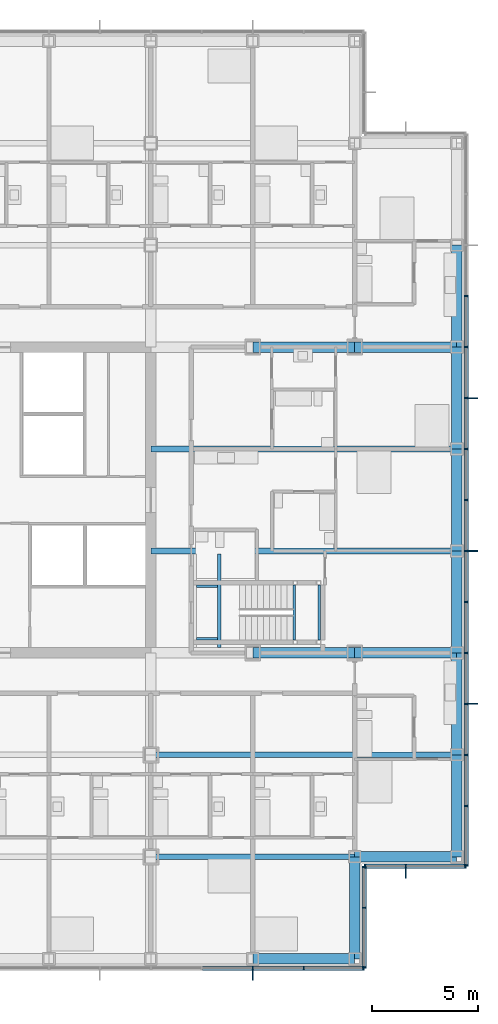
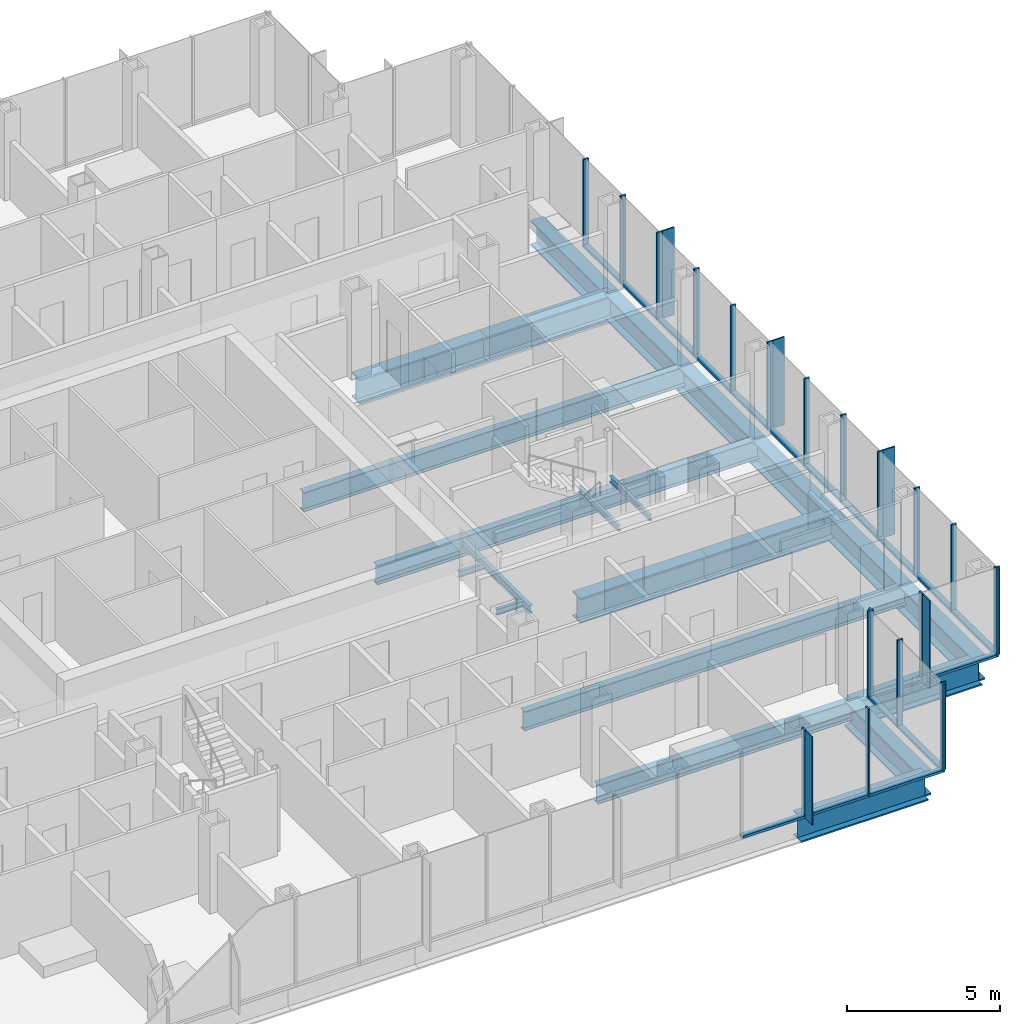
# One storey, part 9 of 22: 44 members, 22 beams, 4 elements without a shape of their own.
"""IFC4 building model written with IfcOpenShell, lengths in metres."""

from ifc_helpers import new_model, si_unit, direction, frame, origin, origin_2d, place, context, subcontext, project, spatial, rectangle, i_section, extrude, material, material_profile, profile_set, type_object, element, aggregate, save


model = new_model("IFC4")

# Units and contexts
model_context = context("Model", 3, precision=1e-05, world=origin(), true_north=direction((0.0, 1.0)))
body_context = subcontext(model_context, "Body", "Model", "MODEL_VIEW")
ifc_project = project(units=[si_unit("LENGTHUNIT", "METRE"), si_unit("AREAUNIT", "SQUARE_METRE"), si_unit("VOLUMEUNIT", "CUBIC_METRE"), si_unit("PLANEANGLEUNIT", "RADIAN"), si_unit("MASSUNIT", "GRAM", prefix="KILO")], contexts=[model_context])

# Site, building, storey
site_placement = place(None, origin())
site = spatial("IfcSite", under=ifc_project, at=site_placement, CompositionType="ELEMENT")
building_placement = place(site_placement, origin())
building = spatial("IfcBuilding", under=site, at=building_placement, Name="Kvirike Care Tower", CompositionType="ELEMENT")
storey_placement = place(building_placement, frame((0.0, 0.0, 72.5)))
storey = spatial("IfcBuildingStorey", under=building, at=storey_placement, Name="L19", CompositionType="ELEMENT", Elevation=72.5)

# Curtain wall, member
ifc_material_1 = material(Name="Anodised aluminium stick system", Category="aluminium")
curtain_wall_type = type_object("IfcCurtainWallType", Name="CW-A STICK CURTAIN WALL", PredefinedType="NOTDEFINED", material=ifc_material_1)
curtain_wall_1_placement = place(storey_placement, origin())
curtain_wall_1 = element("IfcCurtainWall", 1, at=curtain_wall_1_placement, inside=storey, type_object=curtain_wall_type, Name="Curtain wall L19 face 4", PredefinedType="NOTDEFINED")
ifc_material_2 = material(Name="Bronze anodised aluminium fin", Category="aluminium")
ifc_material_profile_1 = material_profile(ifc_material_2, rectangle(XDim=0.050048828125, YDim=0.449951171875, at=origin_2d()), Name="BRONZE FIN 450")
ifc_profile_set_1 = profile_set([ifc_material_profile_1], Name="Bronze anodised aluminium fin")
member_type_1 = type_object("IfcMemberType", Name="BRONZE FIN 450", PredefinedType="USERDEFINED", material=ifc_profile_set_1)
member_1_placement = place(storey_placement, frame((33.60009765625, 13.625, 0.0), z_axis=(0.0, 0.0, 1.0), x_axis=(1.0, 0.0, 0.0)))
member_1 = element("IfcMember", 2, at=member_1_placement, type_object=member_type_1, Name="Bronze fin L19 face 4.13", ObjectType="FIN", PredefinedType="USERDEFINED", context=body_context, shape_type="SweptSolid", body=[
    extrude(rectangle(XDim=0.050048828125, YDim=0.449951171875, at=origin_2d()), origin(), (0.0, 0.0, 1.0), 3.5),
])

curtain_wall_2_placement = place(storey_placement, origin())
curtain_wall_2 = element("IfcCurtainWall", 3, at=curtain_wall_2_placement, inside=storey, type_object=curtain_wall_type, Name="Curtain wall L19 face 6", PredefinedType="NOTDEFINED")
member_2_placement = place(storey_placement, frame((40.800048828125, 18.425048828125, 0.0), z_axis=(0.0, 0.0, 1.0), x_axis=(1.0, 0.0, 0.0)))
member_2 = element("IfcMember", 4, at=member_2_placement, type_object=member_type_1, Name="Bronze fin L19 face 6.2", ObjectType="FIN", PredefinedType="USERDEFINED", context=body_context, shape_type="SweptSolid", body=[
    extrude(rectangle(XDim=0.050048828125, YDim=0.449951171875, at=origin_2d()), origin(), (0.0, 0.0, 1.0), 3.5),
])

# Curtain wall, members
curtain_wall_3_placement = place(storey_placement, origin())
curtain_wall_3 = element("IfcCurtainWall", 5, at=curtain_wall_3_placement, inside=storey, type_object=curtain_wall_type, Name="Curtain wall L19 face 7", PredefinedType="NOTDEFINED")
member_3_placement = place(storey_placement, frame((43.97509765625, 26.39990234375, 0.0), z_axis=(0.0, 0.0, 1.0), x_axis=(0.0, 1.0, 0.0)))
member_3 = element("IfcMember", 6, at=member_3_placement, type_object=member_type_1, Name="Bronze fin L19 face 7.4", ObjectType="FIN", PredefinedType="USERDEFINED", context=body_context, shape_type="SweptSolid", body=[
    extrude(rectangle(XDim=0.050048828125, YDim=0.449951171875, at=origin_2d()), origin(), (0.0, 0.0, 1.0), 3.5),
])
member_4_placement = place(storey_placement, frame((43.97509765625, 33.60009765625, 0.0), z_axis=(0.0, 0.0, 1.0), x_axis=(0.0, 1.0, 0.0)))
member_4 = element("IfcMember", 7, at=member_4_placement, type_object=member_type_1, Name="Bronze fin L19 face 7.7", ObjectType="FIN", PredefinedType="USERDEFINED", context=body_context, shape_type="SweptSolid", body=[
    extrude(rectangle(XDim=0.050048828125, YDim=0.449951171875, at=origin_2d()), origin(), (0.0, 0.0, 1.0), 3.5),
])
member_5_placement = place(storey_placement, frame((43.97509765625, 40.800048828125, 0.0), z_axis=(0.0, 0.0, 1.0), x_axis=(0.0, 1.0, 0.0)))
member_5 = element("IfcMember", 8, at=member_5_placement, type_object=member_type_1, Name="Bronze fin L19 face 7.10", ObjectType="FIN", PredefinedType="USERDEFINED", context=body_context, shape_type="SweptSolid", body=[
    extrude(rectangle(XDim=0.050048828125, YDim=0.449951171875, at=origin_2d()), origin(), (0.0, 0.0, 1.0), 3.5),
])

# Member
ifc_material_3 = material(Name="Bronze anodised aluminium mullion", Category="aluminium")
ifc_material_profile_2 = material_profile(ifc_material_3, rectangle(XDim=0.06494140625, YDim=0.199951171875, at=origin_2d()), Name="CW-A MULLION 65x200")
ifc_profile_set_2 = profile_set([ifc_material_profile_2], Name="Bronze anodised aluminium mullion")
member_type_2 = type_object("IfcMemberType", Name="CW-A MULLION 65x200", PredefinedType="MULLION", material=ifc_profile_set_2)
member_6_placement = place(storey_placement, frame((33.60009765625, 13.949951171875, 0.0), z_axis=(0.0, 0.0, 1.0), x_axis=(1.0, 0.0, 0.0)))
member_6 = element("IfcMember", 9, at=member_6_placement, type_object=member_type_2, Name="CW-A mullion L19 face 4.13", PredefinedType="MULLION", context=body_context, shape_type="SweptSolid", body=[
    extrude(rectangle(XDim=0.06494140625, YDim=0.199951171875, at=origin_2d()), origin(), (0.0, 0.0, 1.0), 3.5),
])

member_7_placement = place(storey_placement, frame((36.0, 13.949951171875, 0.0), z_axis=(0.0, 0.0, 1.0), x_axis=(1.0, 0.0, 0.0)))
member_7 = element("IfcMember", 10, at=member_7_placement, type_object=member_type_2, Name="CW-A mullion L19 face 4.14", PredefinedType="MULLION", context=body_context, shape_type="SweptSolid", body=[
    extrude(rectangle(XDim=0.06494140625, YDim=0.199951171875, at=origin_2d()), origin(), (0.0, 0.0, 1.0), 3.5),
])

member_8_placement = place(storey_placement, frame((38.8173828125, 13.949951171875, 0.0), z_axis=(0.0, 0.0, 1.0), x_axis=(1.0, 0.0, 0.0)))
member_8 = element("IfcMember", 11, at=member_8_placement, type_object=member_type_2, Name="CW-A mullion L19 face 4.15", PredefinedType="MULLION", context=body_context, shape_type="SweptSolid", body=[
    extrude(rectangle(XDim=0.06494140625, YDim=0.199951171875, at=origin_2d()), origin(), (0.0, 0.0, 1.0), 3.5),
])

# Curtain wall, members
curtain_wall_4_placement = place(storey_placement, origin())
curtain_wall_4 = element("IfcCurtainWall", 12, at=curtain_wall_4_placement, inside=storey, type_object=curtain_wall_type, Name="Curtain wall L19 face 5", PredefinedType="NOTDEFINED")
member_9_placement = place(storey_placement, frame((38.85009765625, 13.982421875, 0.0), z_axis=(0.0, 0.0, 1.0), x_axis=(0.0, 1.0, 0.0)))
member_9 = element("IfcMember", 13, at=member_9_placement, type_object=member_type_2, Name="CW-A mullion L19 face 5.1", PredefinedType="MULLION", context=body_context, shape_type="SweptSolid", body=[
    extrude(rectangle(XDim=0.06494140625, YDim=0.199951171875, at=origin_2d()), origin(), (0.0, 0.0, 1.0), 3.5),
])
member_10_placement = place(storey_placement, frame((38.85009765625, 16.800048828125, 0.0), z_axis=(0.0, 0.0, 1.0), x_axis=(0.0, 1.0, 0.0)))
member_10 = element("IfcMember", 14, at=member_10_placement, type_object=member_type_2, Name="CW-A mullion L19 face 5.2", PredefinedType="MULLION", context=body_context, shape_type="SweptSolid", body=[
    extrude(rectangle(XDim=0.06494140625, YDim=0.199951171875, at=origin_2d()), origin(), (0.0, 0.0, 1.0), 3.5),
])
member_11_placement = place(storey_placement, frame((38.85009765625, 18.717529296875, 0.0), z_axis=(0.0, 0.0, 1.0), x_axis=(0.0, 1.0, 0.0)))
member_11 = element("IfcMember", 15, at=member_11_placement, type_object=member_type_2, Name="CW-A mullion L19 face 5.3", PredefinedType="MULLION", context=body_context, shape_type="SweptSolid", body=[
    extrude(rectangle(XDim=0.06494140625, YDim=0.199951171875, at=origin_2d()), origin(), (0.0, 0.0, 1.0), 3.5),
])

# Member
member_12_placement = place(storey_placement, frame((38.882568359375, 18.75, 0.0), z_axis=(0.0, 0.0, 1.0), x_axis=(1.0, 0.0, 0.0)))
member_12 = element("IfcMember", 16, at=member_12_placement, type_object=member_type_2, Name="CW-A mullion L19 face 6.1", PredefinedType="MULLION", context=body_context, shape_type="SweptSolid", body=[
    extrude(rectangle(XDim=0.06494140625, YDim=0.199951171875, at=origin_2d()), origin(), (0.0, 0.0, 1.0), 3.5),
])

member_13_placement = place(storey_placement, frame((40.800048828125, 18.75, 0.0), z_axis=(0.0, 0.0, 1.0), x_axis=(1.0, 0.0, 0.0)))
member_13 = element("IfcMember", 17, at=member_13_placement, type_object=member_type_2, Name="CW-A mullion L19 face 6.2", PredefinedType="MULLION", context=body_context, shape_type="SweptSolid", body=[
    extrude(rectangle(XDim=0.06494140625, YDim=0.199951171875, at=origin_2d()), origin(), (0.0, 0.0, 1.0), 3.5),
])

member_14_placement = place(storey_placement, frame((43.617431640625, 18.75, 0.0), z_axis=(0.0, 0.0, 1.0), x_axis=(1.0, 0.0, 0.0)))
member_14 = element("IfcMember", 18, at=member_14_placement, type_object=member_type_2, Name="CW-A mullion L19 face 6.3", PredefinedType="MULLION", context=body_context, shape_type="SweptSolid", body=[
    extrude(rectangle(XDim=0.06494140625, YDim=0.199951171875, at=origin_2d()), origin(), (0.0, 0.0, 1.0), 3.5),
])

member_15_placement = place(storey_placement, frame((43.64990234375, 18.782470703125, 0.0), z_axis=(0.0, 0.0, 1.0), x_axis=(0.0, 1.0, 0.0)))
member_15 = element("IfcMember", 19, at=member_15_placement, type_object=member_type_2, Name="CW-A mullion L19 face 7.1", PredefinedType="MULLION", context=body_context, shape_type="SweptSolid", body=[
    extrude(rectangle(XDim=0.06494140625, YDim=0.199951171875, at=origin_2d()), origin(), (0.0, 0.0, 1.0), 3.5),
])

member_16_placement = place(storey_placement, frame((43.64990234375, 21.60009765625, 0.0), z_axis=(0.0, 0.0, 1.0), x_axis=(0.0, 1.0, 0.0)))
member_16 = element("IfcMember", 20, at=member_16_placement, type_object=member_type_2, Name="CW-A mullion L19 face 7.2", PredefinedType="MULLION", context=body_context, shape_type="SweptSolid", body=[
    extrude(rectangle(XDim=0.06494140625, YDim=0.199951171875, at=origin_2d()), origin(), (0.0, 0.0, 1.0), 3.5),
])

member_17_placement = place(storey_placement, frame((43.64990234375, 24.0, 0.0), z_axis=(0.0, 0.0, 1.0), x_axis=(0.0, 1.0, 0.0)))
member_17 = element("IfcMember", 21, at=member_17_placement, type_object=member_type_2, Name="CW-A mullion L19 face 7.3", PredefinedType="MULLION", context=body_context, shape_type="SweptSolid", body=[
    extrude(rectangle(XDim=0.06494140625, YDim=0.199951171875, at=origin_2d()), origin(), (0.0, 0.0, 1.0), 3.5),
])

member_18_placement = place(storey_placement, frame((43.64990234375, 26.39990234375, 0.0), z_axis=(0.0, 0.0, 1.0), x_axis=(0.0, 1.0, 0.0)))
member_18 = element("IfcMember", 22, at=member_18_placement, type_object=member_type_2, Name="CW-A mullion L19 face 7.4", PredefinedType="MULLION", context=body_context, shape_type="SweptSolid", body=[
    extrude(rectangle(XDim=0.06494140625, YDim=0.199951171875, at=origin_2d()), origin(), (0.0, 0.0, 1.0), 3.5),
])

member_19_placement = place(storey_placement, frame((43.64990234375, 28.800048828125, 0.0), z_axis=(0.0, 0.0, 1.0), x_axis=(0.0, 1.0, 0.0)))
member_19 = element("IfcMember", 23, at=member_19_placement, type_object=member_type_2, Name="CW-A mullion L19 face 7.5", PredefinedType="MULLION", context=body_context, shape_type="SweptSolid", body=[
    extrude(rectangle(XDim=0.06494140625, YDim=0.199951171875, at=origin_2d()), origin(), (0.0, 0.0, 1.0), 3.5),
])

member_20_placement = place(storey_placement, frame((43.64990234375, 31.199951171875, 0.0), z_axis=(0.0, 0.0, 1.0), x_axis=(0.0, 1.0, 0.0)))
member_20 = element("IfcMember", 24, at=member_20_placement, type_object=member_type_2, Name="CW-A mullion L19 face 7.6", PredefinedType="MULLION", context=body_context, shape_type="SweptSolid", body=[
    extrude(rectangle(XDim=0.06494140625, YDim=0.199951171875, at=origin_2d()), origin(), (0.0, 0.0, 1.0), 3.5),
])

member_21_placement = place(storey_placement, frame((43.64990234375, 33.60009765625, 0.0), z_axis=(0.0, 0.0, 1.0), x_axis=(0.0, 1.0, 0.0)))
member_21 = element("IfcMember", 25, at=member_21_placement, type_object=member_type_2, Name="CW-A mullion L19 face 7.7", PredefinedType="MULLION", context=body_context, shape_type="SweptSolid", body=[
    extrude(rectangle(XDim=0.06494140625, YDim=0.199951171875, at=origin_2d()), origin(), (0.0, 0.0, 1.0), 3.5),
])

member_22_placement = place(storey_placement, frame((43.64990234375, 36.0, 0.0), z_axis=(0.0, 0.0, 1.0), x_axis=(0.0, 1.0, 0.0)))
member_22 = element("IfcMember", 26, at=member_22_placement, type_object=member_type_2, Name="CW-A mullion L19 face 7.8", PredefinedType="MULLION", context=body_context, shape_type="SweptSolid", body=[
    extrude(rectangle(XDim=0.06494140625, YDim=0.199951171875, at=origin_2d()), origin(), (0.0, 0.0, 1.0), 3.5),
])

member_23_placement = place(storey_placement, frame((43.64990234375, 38.39990234375, 0.0), z_axis=(0.0, 0.0, 1.0), x_axis=(0.0, 1.0, 0.0)))
member_23 = element("IfcMember", 27, at=member_23_placement, type_object=member_type_2, Name="CW-A mullion L19 face 7.9", PredefinedType="MULLION", context=body_context, shape_type="SweptSolid", body=[
    extrude(rectangle(XDim=0.06494140625, YDim=0.199951171875, at=origin_2d()), origin(), (0.0, 0.0, 1.0), 3.5),
])

member_24_placement = place(storey_placement, frame((43.64990234375, 40.800048828125, 0.0), z_axis=(0.0, 0.0, 1.0), x_axis=(0.0, 1.0, 0.0)))
member_24 = element("IfcMember", 28, at=member_24_placement, type_object=member_type_2, Name="CW-A mullion L19 face 7.10", PredefinedType="MULLION", context=body_context, shape_type="SweptSolid", body=[
    extrude(rectangle(XDim=0.06494140625, YDim=0.199951171875, at=origin_2d()), origin(), (0.0, 0.0, 1.0), 3.5),
])

member_25_placement = place(storey_placement, frame((43.64990234375, 43.199951171875, 0.0), z_axis=(0.0, 0.0, 1.0), x_axis=(0.0, 1.0, 0.0)))
member_25 = element("IfcMember", 29, at=member_25_placement, type_object=member_type_2, Name="CW-A mullion L19 face 7.11", PredefinedType="MULLION", context=body_context, shape_type="SweptSolid", body=[
    extrude(rectangle(XDim=0.06494140625, YDim=0.199951171875, at=origin_2d()), origin(), (0.0, 0.0, 1.0), 3.5),
])

member_26_placement = place(storey_placement, frame((43.64990234375, 45.60009765625, 0.0), z_axis=(0.0, 0.0, 1.0), x_axis=(0.0, 1.0, 0.0)))
member_26 = element("IfcMember", 30, at=member_26_placement, type_object=member_type_2, Name="CW-A mullion L19 face 7.12", PredefinedType="MULLION", context=body_context, shape_type="SweptSolid", body=[
    extrude(rectangle(XDim=0.06494140625, YDim=0.199951171875, at=origin_2d()), origin(), (0.0, 0.0, 1.0), 3.5),
])

ifc_material_4 = material(Name="Bronze anodised aluminium transom", Category="aluminium")
ifc_material_profile_3 = material_profile(ifc_material_4, rectangle(XDim=0.199951171875, YDim=0.10009765625, at=origin_2d()), Name="CW-A TRANSOM 200x100")
ifc_profile_set_3 = profile_set([ifc_material_profile_3], Name="Bronze anodised aluminium transom")
member_type_3 = type_object("IfcMemberType", Name="CW-A TRANSOM 200x100", PredefinedType="USERDEFINED", material=ifc_profile_set_3)
member_27_placement = place(storey_placement, frame((31.232421875, 13.949951171875, 0.050048828125), z_axis=(1.0, 0.0, 0.0), x_axis=(0.0, 1.0, 0.0)))
member_27 = element("IfcMember", 31, at=member_27_placement, type_object=member_type_3, Name="CW-A sill transom L19 face 4.12", ObjectType="TRANSOM", PredefinedType="USERDEFINED", context=body_context, shape_type="SweptSolid", body=[
    extrude(rectangle(XDim=0.199951171875, YDim=0.10009765625, at=origin_2d()), origin(), (0.0, 0.0, 1.0), 2.3349609375),
])

member_28_placement = place(storey_placement, frame((33.632568359375, 13.949951171875, 0.050048828125), z_axis=(1.0, 0.0, 0.0), x_axis=(0.0, 1.0, 0.0)))
member_28 = element("IfcMember", 32, at=member_28_placement, type_object=member_type_3, Name="CW-A sill transom L19 face 4.13", ObjectType="TRANSOM", PredefinedType="USERDEFINED", context=body_context, shape_type="SweptSolid", body=[
    extrude(rectangle(XDim=0.199951171875, YDim=0.10009765625, at=origin_2d()), origin(), (0.0, 0.0, 1.0), 2.3349609375),
])

member_29_placement = place(storey_placement, frame((36.032470703125, 13.949951171875, 0.050048828125), z_axis=(1.0, 0.0, 0.0), x_axis=(0.0, 1.0, 0.0)))
member_29 = element("IfcMember", 33, at=member_29_placement, type_object=member_type_3, Name="CW-A sill transom L19 face 4.14", ObjectType="TRANSOM", PredefinedType="USERDEFINED", context=body_context, shape_type="SweptSolid", body=[
    extrude(rectangle(XDim=0.199951171875, YDim=0.10009765625, at=origin_2d()), origin(), (0.0, 0.0, 1.0), 2.75244140625),
])

aggregate(curtain_wall_1, [member_6, member_1, member_7, member_8, member_27, member_28, member_29])

member_30_placement = place(storey_placement, frame((38.85009765625, 14.014892578125, 0.050048828125), z_axis=(0.0, 1.0, 0.0), x_axis=(-1.0, 0.0, 0.0)))
member_30 = element("IfcMember", 34, at=member_30_placement, type_object=member_type_3, Name="CW-A sill transom L19 face 5.1", ObjectType="TRANSOM", PredefinedType="USERDEFINED", context=body_context, shape_type="SweptSolid", body=[
    extrude(rectangle(XDim=0.199951171875, YDim=0.10009765625, at=origin_2d()), origin(), (0.0, 0.0, 1.0), 2.752685546875),
])

member_31_placement = place(storey_placement, frame((38.85009765625, 16.83251953125, 0.050048828125), z_axis=(0.0, 1.0, 0.0), x_axis=(-1.0, 0.0, 0.0)))
member_31 = element("IfcMember", 35, at=member_31_placement, type_object=member_type_3, Name="CW-A sill transom L19 face 5.2", ObjectType="TRANSOM", PredefinedType="USERDEFINED", context=body_context, shape_type="SweptSolid", body=[
    extrude(rectangle(XDim=0.199951171875, YDim=0.10009765625, at=origin_2d()), origin(), (0.0, 0.0, 1.0), 1.8525390625),
])

aggregate(curtain_wall_4, [member_9, member_10, member_11, member_30, member_31])

member_32_placement = place(storey_placement, frame((38.9150390625, 18.75, 0.050048828125), z_axis=(1.0, 0.0, 0.0), x_axis=(0.0, 1.0, 0.0)))
member_32 = element("IfcMember", 36, at=member_32_placement, type_object=member_type_3, Name="CW-A sill transom L19 face 6.1", ObjectType="TRANSOM", PredefinedType="USERDEFINED", context=body_context, shape_type="SweptSolid", body=[
    extrude(rectangle(XDim=0.199951171875, YDim=0.10009765625, at=origin_2d()), origin(), (0.0, 0.0, 1.0), 1.8525390625),
])

member_33_placement = place(storey_placement, frame((40.83251953125, 18.75, 0.050048828125), z_axis=(1.0, 0.0, 0.0), x_axis=(0.0, 1.0, 0.0)))
member_33 = element("IfcMember", 37, at=member_33_placement, type_object=member_type_3, Name="CW-A sill transom L19 face 6.2", ObjectType="TRANSOM", PredefinedType="USERDEFINED", context=body_context, shape_type="SweptSolid", body=[
    extrude(rectangle(XDim=0.199951171875, YDim=0.10009765625, at=origin_2d()), origin(), (0.0, 0.0, 1.0), 2.75244140625),
])

aggregate(curtain_wall_2, [member_12, member_13, member_2, member_14, member_32, member_33])

member_34_placement = place(storey_placement, frame((43.64990234375, 18.81494140625, 0.050048828125), z_axis=(0.0, 1.0, 0.0), x_axis=(-1.0, 0.0, 0.0)))
member_34 = element("IfcMember", 38, at=member_34_placement, type_object=member_type_3, Name="CW-A sill transom L19 face 7.1", ObjectType="TRANSOM", PredefinedType="USERDEFINED", context=body_context, shape_type="SweptSolid", body=[
    extrude(rectangle(XDim=0.199951171875, YDim=0.10009765625, at=origin_2d()), origin(), (0.0, 0.0, 1.0), 2.75244140625),
])

member_35_placement = place(storey_placement, frame((43.64990234375, 21.632568359375, 0.050048828125), z_axis=(0.0, 1.0, 0.0), x_axis=(-1.0, 0.0, 0.0)))
member_35 = element("IfcMember", 39, at=member_35_placement, type_object=member_type_3, Name="CW-A sill transom L19 face 7.2", ObjectType="TRANSOM", PredefinedType="USERDEFINED", context=body_context, shape_type="SweptSolid", body=[
    extrude(rectangle(XDim=0.199951171875, YDim=0.10009765625, at=origin_2d()), origin(), (0.0, 0.0, 1.0), 2.3349609375),
])

member_36_placement = place(storey_placement, frame((43.64990234375, 24.032470703125, 0.050048828125), z_axis=(0.0, 1.0, 0.0), x_axis=(-1.0, 0.0, 0.0)))
member_36 = element("IfcMember", 40, at=member_36_placement, type_object=member_type_3, Name="CW-A sill transom L19 face 7.3", ObjectType="TRANSOM", PredefinedType="USERDEFINED", context=body_context, shape_type="SweptSolid", body=[
    extrude(rectangle(XDim=0.199951171875, YDim=0.10009765625, at=origin_2d()), origin(), (0.0, 0.0, 1.0), 2.3349609375),
])

member_37_placement = place(storey_placement, frame((43.64990234375, 26.4326171875, 0.050048828125), z_axis=(0.0, 1.0, 0.0), x_axis=(-1.0, 0.0, 0.0)))
member_37 = element("IfcMember", 41, at=member_37_placement, type_object=member_type_3, Name="CW-A sill transom L19 face 7.4", ObjectType="TRANSOM", PredefinedType="USERDEFINED", context=body_context, shape_type="SweptSolid", body=[
    extrude(rectangle(XDim=0.199951171875, YDim=0.10009765625, at=origin_2d()), origin(), (0.0, 0.0, 1.0), 2.3349609375),
])

member_38_placement = place(storey_placement, frame((43.64990234375, 28.83251953125, 0.050048828125), z_axis=(0.0, 1.0, 0.0), x_axis=(-1.0, 0.0, 0.0)))
member_38 = element("IfcMember", 42, at=member_38_placement, type_object=member_type_3, Name="CW-A sill transom L19 face 7.5", ObjectType="TRANSOM", PredefinedType="USERDEFINED", context=body_context, shape_type="SweptSolid", body=[
    extrude(rectangle(XDim=0.199951171875, YDim=0.10009765625, at=origin_2d()), origin(), (0.0, 0.0, 1.0), 2.3349609375),
])

member_39_placement = place(storey_placement, frame((43.64990234375, 31.232421875, 0.050048828125), z_axis=(0.0, 1.0, 0.0), x_axis=(-1.0, 0.0, 0.0)))
member_39 = element("IfcMember", 43, at=member_39_placement, type_object=member_type_3, Name="CW-A sill transom L19 face 7.6", ObjectType="TRANSOM", PredefinedType="USERDEFINED", context=body_context, shape_type="SweptSolid", body=[
    extrude(rectangle(XDim=0.199951171875, YDim=0.10009765625, at=origin_2d()), origin(), (0.0, 0.0, 1.0), 2.3349609375),
])

member_40_placement = place(storey_placement, frame((43.64990234375, 33.632568359375, 0.050048828125), z_axis=(0.0, 1.0, 0.0), x_axis=(-1.0, 0.0, 0.0)))
member_40 = element("IfcMember", 44, at=member_40_placement, type_object=member_type_3, Name="CW-A sill transom L19 face 7.7", ObjectType="TRANSOM", PredefinedType="USERDEFINED", context=body_context, shape_type="SweptSolid", body=[
    extrude(rectangle(XDim=0.199951171875, YDim=0.10009765625, at=origin_2d()), origin(), (0.0, 0.0, 1.0), 2.3349609375),
])

member_41_placement = place(storey_placement, frame((43.64990234375, 36.032470703125, 0.050048828125), z_axis=(0.0, 1.0, 0.0), x_axis=(-1.0, 0.0, 0.0)))
member_41 = element("IfcMember", 45, at=member_41_placement, type_object=member_type_3, Name="CW-A sill transom L19 face 7.8", ObjectType="TRANSOM", PredefinedType="USERDEFINED", context=body_context, shape_type="SweptSolid", body=[
    extrude(rectangle(XDim=0.199951171875, YDim=0.10009765625, at=origin_2d()), origin(), (0.0, 0.0, 1.0), 2.3349609375),
])

member_42_placement = place(storey_placement, frame((43.64990234375, 38.4326171875, 0.050048828125), z_axis=(0.0, 1.0, 0.0), x_axis=(-1.0, 0.0, 0.0)))
member_42 = element("IfcMember", 46, at=member_42_placement, type_object=member_type_3, Name="CW-A sill transom L19 face 7.9", ObjectType="TRANSOM", PredefinedType="USERDEFINED", context=body_context, shape_type="SweptSolid", body=[
    extrude(rectangle(XDim=0.199951171875, YDim=0.10009765625, at=origin_2d()), origin(), (0.0, 0.0, 1.0), 2.3349609375),
])

member_43_placement = place(storey_placement, frame((43.64990234375, 40.83251953125, 0.050048828125), z_axis=(0.0, 1.0, 0.0), x_axis=(-1.0, 0.0, 0.0)))
member_43 = element("IfcMember", 47, at=member_43_placement, type_object=member_type_3, Name="CW-A sill transom L19 face 7.10", ObjectType="TRANSOM", PredefinedType="USERDEFINED", context=body_context, shape_type="SweptSolid", body=[
    extrude(rectangle(XDim=0.199951171875, YDim=0.10009765625, at=origin_2d()), origin(), (0.0, 0.0, 1.0), 2.3349609375),
])

member_44_placement = place(storey_placement, frame((43.64990234375, 43.232421875, 0.050048828125), z_axis=(0.0, 1.0, 0.0), x_axis=(-1.0, 0.0, 0.0)))
member_44 = element("IfcMember", 48, at=member_44_placement, type_object=member_type_3, Name="CW-A sill transom L19 face 7.11", ObjectType="TRANSOM", PredefinedType="USERDEFINED", context=body_context, shape_type="SweptSolid", body=[
    extrude(rectangle(XDim=0.199951171875, YDim=0.10009765625, at=origin_2d()), origin(), (0.0, 0.0, 1.0), 2.3349609375),
])

aggregate(curtain_wall_3, [member_15, member_16, member_17, member_18, member_3, member_19, member_20, member_21, member_4, member_22, member_23, member_24, member_5, member_25, member_26, member_34, member_35, member_36, member_37, member_38, member_39, member_40, member_41, member_42, member_43, member_44])

# Beams
ifc_material_5 = material(Name="Steel S355", Category="steel")
ifc_material_profile_4 = material_profile(ifc_material_5, i_section(OverallWidth=0.26806640625, OverallDepth=0.77001953125, WebThickness=0.015625, FlangeThickness=0.025390625, FilletRadius=0.01708984375, at=origin_2d()), Name="IPE 750x196")
ifc_profile_set_4 = profile_set([ifc_material_profile_4], Name="Steel S355")
beam_type_1 = type_object("IfcBeamType", Name="FLOOR BEAM IPE 750x196", PredefinedType="BEAM", material=ifc_profile_set_4)
beam_1_placement = place(storey_placement, frame((28.800048828125, 19.199951171875, -0.554931640625), z_axis=(1.0, 0.0, 0.0), x_axis=(0.0, 1.0, 0.0)))
element("IfcBeam", 49, at=beam_1_placement, inside=storey, type_object=beam_type_1, Name="Floor Beam E9-E11 L19", PredefinedType="BEAM", context=body_context, shape_type="SweptSolid", body=[
    extrude(i_section(OverallWidth=0.26806640625, OverallDepth=0.77001953125, WebThickness=0.015625, FlangeThickness=0.025390625, FilletRadius=0.01708984375, at=origin_2d()), origin(), (0.0, 0.0, 1.0), 9.599853515625),
])
for number, where, z_axis, x_axis, name in (
    (50, (28.800048828125, 24.0, -0.554931640625), (1.0, 0.0, 0.0), (0.0, 1.0, 0.0), "Floor Beam F9-F12 L19"),
    (51, (28.800048828125, 33.60009765625, -0.554931640625), (1.0, 0.0, 0.0), (0.0, 1.0, 0.0), "Floor Beam H9-H12 L19"),
    (52, (28.800048828125, 38.39990234375, -0.554931640625), (1.0, 0.0, 0.0), (0.0, 1.0, 0.0), "Floor Beam J9-J12 L19"),
):
    element("IfcBeam", number, at=place(storey_placement, frame(where, z_axis=z_axis, x_axis=x_axis)), inside=storey, type_object=beam_type_1, Name=name, PredefinedType="BEAM", context=body_context, shape_type="SweptSolid", body=[
        extrude(i_section(OverallWidth=0.26806640625, OverallDepth=0.77001953125, WebThickness=0.015625, FlangeThickness=0.025390625, FilletRadius=0.01708984375, at=origin_2d()), origin(), (0.0, 0.0, 1.0), 14.39990234375),
    ])
ifc_material_6 = material(Name="Steel S355", Category="steel")
ifc_material_profile_5 = material_profile(ifc_material_6, i_section(OverallWidth=0.5, OverallDepth=1.0, WebThickness=0.030029296875, FlangeThickness=0.06005859375, at=origin_2d()), Name="PG 1000x500x30x60")
ifc_profile_set_5 = profile_set([ifc_material_profile_5], Name="Steel S355")
beam_type_2 = type_object("IfcBeamType", Name="FRAME BEAM PG 1000x500x30x60", PredefinedType="BEAM", material=ifc_profile_set_5)
beam_2_placement = place(storey_placement, frame((33.60009765625, 28.800048828125, -0.669921875), z_axis=(1.0, 0.0, 0.0), x_axis=(0.0, 1.0, 0.0)))
element("IfcBeam", 53, at=beam_2_placement, inside=storey, type_object=beam_type_2, Name="Frame Beam G10-G11 L19", PredefinedType="BEAM", context=body_context, shape_type="SweptSolid", body=[
    extrude(i_section(OverallWidth=0.5, OverallDepth=1.0, WebThickness=0.030029296875, FlangeThickness=0.06005859375, at=origin_2d()), origin(), (0.0, 0.0, 1.0), 4.7998046875),
])
beam_3_placement = place(storey_placement, frame((38.39990234375, 28.800048828125, -0.669921875), z_axis=(1.0, 0.0, 0.0), x_axis=(0.0, 1.0, 0.0)))
element("IfcBeam", 54, at=beam_3_placement, inside=storey, type_object=beam_type_2, Name="Frame Beam G11-G12 L19", PredefinedType="BEAM", context=body_context, shape_type="SweptSolid", body=[
    extrude(i_section(OverallWidth=0.5, OverallDepth=1.0, WebThickness=0.030029296875, FlangeThickness=0.06005859375, at=origin_2d()), origin(), (0.0, 0.0, 1.0), 4.800048828125),
])
beam_4_placement = place(storey_placement, frame((33.60009765625, 43.199951171875, -0.669921875), z_axis=(1.0, 0.0, 0.0), x_axis=(0.0, 1.0, 0.0)))
element("IfcBeam", 55, at=beam_4_placement, inside=storey, type_object=beam_type_2, Name="Frame Beam K10-K11 L19", PredefinedType="BEAM", context=body_context, shape_type="SweptSolid", body=[
    extrude(i_section(OverallWidth=0.5, OverallDepth=1.0, WebThickness=0.030029296875, FlangeThickness=0.06005859375, at=origin_2d()), origin(), (0.0, 0.0, 1.0), 4.7998046875),
])
beam_5_placement = place(storey_placement, frame((38.39990234375, 43.199951171875, -0.669921875), z_axis=(1.0, 0.0, 0.0), x_axis=(0.0, 1.0, 0.0)))
element("IfcBeam", 56, at=beam_5_placement, inside=storey, type_object=beam_type_2, Name="Frame Beam K11-K12 L19", PredefinedType="BEAM", context=body_context, shape_type="SweptSolid", body=[
    extrude(i_section(OverallWidth=0.5, OverallDepth=1.0, WebThickness=0.030029296875, FlangeThickness=0.06005859375, at=origin_2d()), origin(), (0.0, 0.0, 1.0), 4.800048828125),
])
ifc_material_7 = material(Name="Steel S355", Category="steel")
ifc_material_profile_6 = material_profile(ifc_material_7, i_section(OverallWidth=0.5, OverallDepth=1.0, WebThickness=0.030029296875, FlangeThickness=0.06005859375, at=origin_2d()), Name="PG 1000x500x30x60")
ifc_profile_set_6 = profile_set([ifc_material_profile_6], Name="Steel S355")
beam_type_3 = type_object("IfcBeamType", Name="SPANDREL PG 1000x500x30x60", PredefinedType="SPANDREL", material=ifc_profile_set_6)
beam_6_placement = place(storey_placement, frame((33.60009765625, 14.39990234375, -0.669921875), z_axis=(1.0, 0.0, 0.0), x_axis=(0.0, 1.0, 0.0)))
element("IfcBeam", 57, at=beam_6_placement, inside=storey, type_object=beam_type_3, Name="Spandrel D10-D11 L19", PredefinedType="SPANDREL", context=body_context, shape_type="SweptSolid", body=[
    extrude(i_section(OverallWidth=0.5, OverallDepth=1.0, WebThickness=0.030029296875, FlangeThickness=0.06005859375, at=origin_2d()), origin(), (0.0, 0.0, 1.0), 4.7998046875),
])
for number, where, z_axis, x_axis, name in (
    (58, (38.39990234375, 19.199951171875, -0.669921875), (1.0, 0.0, 0.0), (0.0, 1.0, 0.0), "Spandrel E11-E12 L19"),
    (59, (38.39990234375, 14.39990234375, -0.669921875), (0.0, 1.0, 0.0), (-1.0, 0.0, 0.0), "Spandrel D11-E11 L19"),
    (60, (43.199951171875, 19.199951171875, -0.669921875), (0.0, 1.0, 0.0), (-1.0, 0.0, 0.0), "Spandrel E12-F12 L19"),
    (61, (43.199951171875, 24.0, -0.669921875), (0.0, 1.0, 0.0), (-1.0, 0.0, 0.0), "Spandrel F12-G12 L19"),
    (62, (43.199951171875, 28.800048828125, -0.669921875), (0.0, 1.0, 0.0), (-1.0, 0.0, 0.0), "Spandrel G12-H12 L19"),
):
    element("IfcBeam", number, at=place(storey_placement, frame(where, z_axis=z_axis, x_axis=x_axis)), inside=storey, type_object=beam_type_3, Name=name, PredefinedType="SPANDREL", context=body_context, shape_type="SweptSolid", body=[
        extrude(i_section(OverallWidth=0.5, OverallDepth=1.0, WebThickness=0.030029296875, FlangeThickness=0.06005859375, at=origin_2d()), origin(), (0.0, 0.0, 1.0), 4.800048828125),
    ])
beam_7_placement = place(storey_placement, frame((43.199951171875, 33.60009765625, -0.669921875), z_axis=(0.0, 1.0, 0.0), x_axis=(-1.0, 0.0, 0.0)))
element("IfcBeam", 63, at=beam_7_placement, inside=storey, type_object=beam_type_3, Name="Spandrel H12-J12 L19", PredefinedType="SPANDREL", context=body_context, shape_type="SweptSolid", body=[
    extrude(i_section(OverallWidth=0.5, OverallDepth=1.0, WebThickness=0.030029296875, FlangeThickness=0.06005859375, at=origin_2d()), origin(), (0.0, 0.0, 1.0), 4.7998046875),
])
for number, where, z_axis, x_axis, name in (
    (64, (43.199951171875, 38.39990234375, -0.669921875), (0.0, 1.0, 0.0), (-1.0, 0.0, 0.0), "Spandrel J12-K12 L19"),
    (65, (43.199951171875, 43.199951171875, -0.669921875), (0.0, 1.0, 0.0), (-1.0, 0.0, 0.0), "Spandrel K12-L12 L19"),
):
    element("IfcBeam", number, at=place(storey_placement, frame(where, z_axis=z_axis, x_axis=x_axis)), inside=storey, type_object=beam_type_3, Name=name, PredefinedType="SPANDREL", context=body_context, shape_type="SweptSolid", body=[
        extrude(i_section(OverallWidth=0.5, OverallDepth=1.0, WebThickness=0.030029296875, FlangeThickness=0.06005859375, at=origin_2d()), origin(), (0.0, 0.0, 1.0), 4.800048828125),
    ])
ifc_material_8 = material(Name="Steel S355", Category="steel")
ifc_material_profile_7 = material_profile(ifc_material_8, i_section(OverallWidth=0.1201171875, OverallDepth=0.239990234375, WebThickness=0.006103515625, FlangeThickness=0.009765625, FilletRadius=0.014892578125, at=origin_2d()), Name="IPE 240")
ifc_profile_set_7 = profile_set([ifc_material_profile_7], Name="Steel S355")
beam_type_4 = type_object("IfcBeamType", Name="STAIR LANDING BEAM IPE 240", PredefinedType="BEAM", material=ifc_profile_set_7)
for number, where, z_axis, x_axis, name in (
    (66, (36.739990234375, 29.39990234375, 1.429931640625), (0.0, 1.0, 0.0), (-1.0, 0.0, 0.0), "Stair 2 landing beam back L19"),
    (67, (35.56005859375, 29.39990234375, 1.429931640625), (0.0, 1.0, 0.0), (-1.0, 0.0, 0.0), "Stair 2 landing beam front L19"),
):
    element("IfcBeam", number, at=place(storey_placement, frame(where, z_axis=z_axis, x_axis=x_axis)), inside=storey, type_object=beam_type_4, Name=name, PredefinedType="BEAM", context=body_context, shape_type="SweptSolid", body=[
        extrude(i_section(OverallWidth=0.1201171875, OverallDepth=0.239990234375, WebThickness=0.006103515625, FlangeThickness=0.009765625, FilletRadius=0.014892578125, at=origin_2d()), origin(), (0.0, 0.0, 1.0), 2.60009765625),
    ])
for number, where, z_axis, x_axis, name in (
    (68, (31.949951171875, 29.4599609375, -0.320068359375), (-1.0, 0.0, 0.0), (0.0, -1.0, 0.0), "Stair 2 landing edge beam 1 L19"),
    (69, (31.949951171875, 31.93994140625, -0.320068359375), (-1.0, 0.0, 0.0), (0.0, -1.0, 0.0), "Stair 2 landing edge beam 2 L19"),
):
    element("IfcBeam", number, at=place(storey_placement, frame(where, z_axis=z_axis, x_axis=x_axis)), inside=storey, type_object=beam_type_4, Name=name, PredefinedType="BEAM", context=body_context, shape_type="SweptSolid", body=[
        extrude(i_section(OverallWidth=0.1201171875, OverallDepth=0.239990234375, WebThickness=0.006103515625, FlangeThickness=0.009765625, FilletRadius=0.014892578125, at=origin_2d()), origin(), (0.0, 0.0, 1.0), 1.0),
    ])
ifc_material_9 = material(Name="Steel S355", Category="steel")
ifc_material_profile_8 = material_profile(ifc_material_9, i_section(OverallWidth=0.14990234375, OverallDepth=0.300048828125, WebThickness=0.007080078125, FlangeThickness=0.0107421875, FilletRadius=0.014892578125, at=origin_2d()), Name="IPE 300")
ifc_profile_set_8 = profile_set([ifc_material_profile_8], Name="Steel S355")
beam_type_5 = type_object("IfcBeamType", Name="STAIR TRIMMER IPE 300", PredefinedType="BEAM", material=ifc_profile_set_8)
beam_8_placement = place(storey_placement, frame((32.02490234375, 29.050048828125, -0.35009765625), z_axis=(0.0, 1.0, 0.0), x_axis=(-1.0, 0.0, 0.0)))
element("IfcBeam", 70, at=beam_8_placement, inside=storey, type_object=beam_type_5, Name="Stair 2 trimmer 1 L19", PredefinedType="BEAM", context=body_context, shape_type="SweptSolid", body=[
    extrude(i_section(OverallWidth=0.14990234375, OverallDepth=0.300048828125, WebThickness=0.007080078125, FlangeThickness=0.0107421875, FilletRadius=0.014892578125, at=origin_2d()), origin(), (0.0, 0.0, 1.0), 4.416015625),
])

save(model, "model.ifc")
